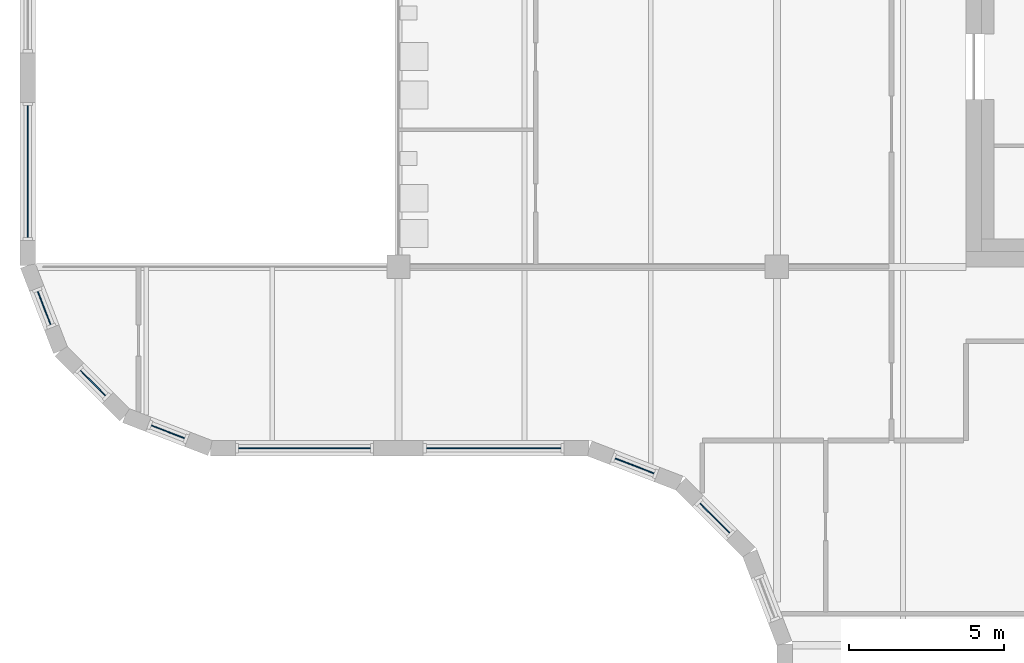
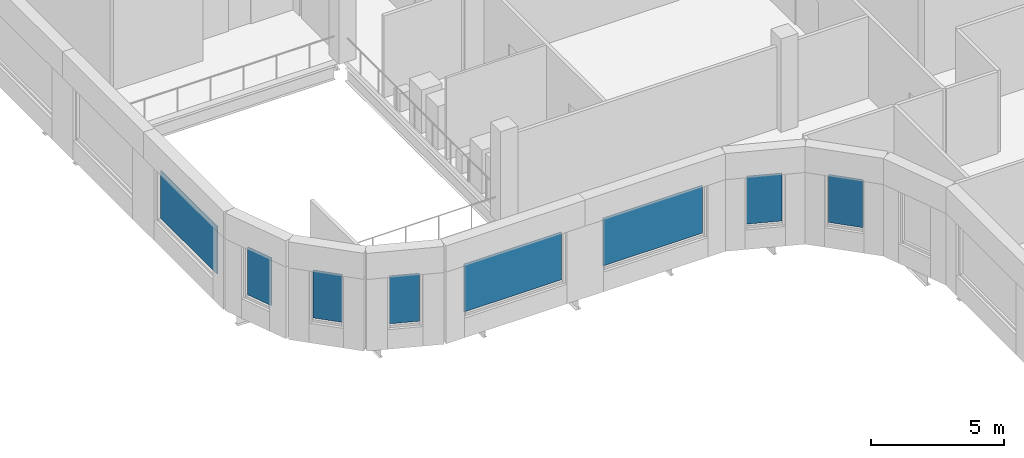
# One storey, part 6 of 21: 8 plates, 8 elements without a shape of their own.
"""IFC4 building model written with IfcOpenShell, lengths in metres."""

from ifc_helpers import new_model, si_unit, direction, frame, origin, origin_2d, place, context, subcontext, project, spatial, rectangle, extrude, material, layer, layer_set, type_object, element, aggregate, save


model = new_model("IFC4")

# Units and contexts
model_context = context("Model", 3, precision=1e-05, world=origin(), true_north=direction((0.0, 1.0)))
body_context = subcontext(model_context, "Body", "Model", "MODEL_VIEW")
ifc_project = project(units=[si_unit("LENGTHUNIT", "METRE"), si_unit("AREAUNIT", "SQUARE_METRE"), si_unit("VOLUMEUNIT", "CUBIC_METRE"), si_unit("PLANEANGLEUNIT", "RADIAN"), si_unit("MASSUNIT", "GRAM", prefix="KILO")], contexts=[model_context])

# Site, building, storey
site_placement = place(None, origin())
site = spatial("IfcSite", under=ifc_project, at=site_placement, CompositionType="ELEMENT")
building_placement = place(site_placement, origin())
building = spatial("IfcBuilding", under=site, at=building_placement, Name="Tessera Gate Towers", CompositionType="ELEMENT")
storey_placement = place(building_placement, frame((0.0, 0.0, 193.39990234375)))
storey = spatial("IfcBuildingStorey", under=building, at=storey_placement, Name="L48", CompositionType="ELEMENT", Elevation=193.39990234375)

# Curtain wall, plate
ifc_material_1 = material(Name="Aluminium frame", Category="aluminium")
curtain_wall_type = type_object("IfcCurtainWallType", Name="CW-S3 amenity floor glazing", PredefinedType="NOTDEFINED", material=ifc_material_1)
curtain_wall_1_placement = place(storey_placement, origin())
curtain_wall_1 = element("IfcCurtainWall", 1, at=curtain_wall_1_placement, inside=storey, type_object=curtain_wall_type, Name="Curtain wall amenity floor glazing 0076", PredefinedType="NOTDEFINED")
ifc_material_2 = material(Name="Low-e laminated glass", Category="glass")
ifc_layer = layer(ifc_material_2, 0.035888671875)
ifc_layer_set = layer_set([ifc_layer], Name="PN-S3 glass panel 36")
plate_type = type_object("IfcPlateType", Name="PN-S3 glass panel 36", PredefinedType="CURTAIN_PANEL", material=ifc_layer_set)
plate_1_placement = place(storey_placement, frame((0.25, 27.473388671875, 1.0), z_axis=(0.0, 0.0, 1.0), x_axis=(0.0, -1.0, 0.0)))
plate_1 = element("IfcPlate", 2, at=plate_1_placement, type_object=plate_type, Name="T1-CW3-0076 panel 1.1", PredefinedType="CURTAIN_PANEL", context=body_context, shape_type="SweptSolid", body=[
    extrude(rectangle(XDim=4.25341796875, YDim=0.035888671875, at=origin_2d()), origin(), (0.0, 0.0, 1.0), 2.199951171875),
])
aggregate(curtain_wall_1, [plate_1])

curtain_wall_2_placement = place(storey_placement, origin())
curtain_wall_2 = element("IfcCurtainWall", 3, at=curtain_wall_2_placement, inside=storey, type_object=curtain_wall_type, Name="Curtain wall amenity floor glazing 0077", PredefinedType="NOTDEFINED")
plate_2_placement = place(storey_placement, frame((0.781005859375, 23.070068359375, 1.0), z_axis=(0.0, 0.0, 1.0), x_axis=(0.359904070394, -0.932989314041, 0.0)))
plate_2 = element("IfcPlate", 4, at=plate_2_placement, type_object=plate_type, Name="T1-CW3-0077 panel 1.1", PredefinedType="CURTAIN_PANEL", context=body_context, shape_type="SweptSolid", body=[
    extrude(rectangle(XDim=1.150634765625, YDim=0.035888671875, at=origin_2d()), origin(), (0.0, 0.0, 1.0), 2.199951171875),
])
aggregate(curtain_wall_2, [plate_2])

curtain_wall_3_placement = place(storey_placement, origin())
curtain_wall_3 = element("IfcCurtainWall", 5, at=curtain_wall_3_placement, inside=storey, type_object=curtain_wall_type, Name="Curtain wall amenity floor glazing 0078", PredefinedType="NOTDEFINED")
plate_3_placement = place(storey_placement, frame((2.352783203125, 20.65283203125, 1.0), z_axis=(0.0, 0.0, 1.0), x_axis=(0.707106781187, -0.707106781187, 0.0)))
plate_3 = element("IfcPlate", 6, at=plate_3_placement, type_object=plate_type, Name="T1-CW3-0078 panel 1.1", PredefinedType="CURTAIN_PANEL", context=body_context, shape_type="SweptSolid", body=[
    extrude(rectangle(XDim=1.14404296875, YDim=0.035888671875, at=origin_2d()), origin(), (0.0, 0.0, 1.0), 2.199951171875),
])
aggregate(curtain_wall_3, [plate_3])

curtain_wall_4_placement = place(storey_placement, origin())
curtain_wall_4 = element("IfcCurtainWall", 7, at=curtain_wall_4_placement, inside=storey, type_object=curtain_wall_type, Name="Curtain wall amenity floor glazing 0079", PredefinedType="NOTDEFINED")
plate_4_placement = place(storey_placement, frame((4.77001953125, 19.0810546875, 1.0), z_axis=(0.0, 0.0, 1.0), x_axis=(0.932989314041, -0.359904070394, 0.0)))
plate_4 = element("IfcPlate", 8, at=plate_4_placement, type_object=plate_type, Name="T1-CW3-0079 panel 1.1", PredefinedType="CURTAIN_PANEL", context=body_context, shape_type="SweptSolid", body=[
    extrude(rectangle(XDim=1.150634765625, YDim=0.035888671875, at=origin_2d()), origin(), (0.0, 0.0, 1.0), 2.199951171875),
])
aggregate(curtain_wall_4, [plate_4])

curtain_wall_5_placement = place(storey_placement, origin())
curtain_wall_5 = element("IfcCurtainWall", 9, at=curtain_wall_5_placement, inside=storey, type_object=curtain_wall_type, Name="Curtain wall amenity floor glazing 0080", PredefinedType="NOTDEFINED")
plate_5_placement = place(storey_placement, frame((9.17333984375, 18.550048828125, 1.0), z_axis=(0.0, 0.0, 1.0), x_axis=(1.0, 0.0, 0.0)))
plate_5 = element("IfcPlate", 10, at=plate_5_placement, type_object=plate_type, Name="T1-CW3-0080 panel 1.1", PredefinedType="CURTAIN_PANEL", context=body_context, shape_type="SweptSolid", body=[
    extrude(rectangle(XDim=4.25341796875, YDim=0.035888671875, at=origin_2d()), origin(), (0.0, 0.0, 1.0), 2.199951171875),
])
aggregate(curtain_wall_5, [plate_5])

curtain_wall_6_placement = place(storey_placement, origin())
curtain_wall_6 = element("IfcCurtainWall", 11, at=curtain_wall_6_placement, inside=storey, type_object=curtain_wall_type, Name="Curtain wall amenity floor glazing 0081", PredefinedType="NOTDEFINED")
plate_6_placement = place(storey_placement, frame((15.273193359375, 18.550048828125, 1.0), z_axis=(0.0, 0.0, 1.0), x_axis=(1.0, 0.0, 0.0)))
plate_6 = element("IfcPlate", 12, at=plate_6_placement, type_object=plate_type, Name="T1-CW3-0081 panel 1.1", PredefinedType="CURTAIN_PANEL", context=body_context, shape_type="SweptSolid", body=[
    extrude(rectangle(XDim=4.346435546875, YDim=0.035888671875, at=origin_2d()), origin(), (0.0, 0.0, 1.0), 2.199951171875),
])
aggregate(curtain_wall_6, [plate_6])

curtain_wall_7_placement = place(storey_placement, origin())
curtain_wall_7 = element("IfcCurtainWall", 13, at=curtain_wall_7_placement, inside=storey, type_object=curtain_wall_type, Name="Curtain wall amenity floor glazing 0082", PredefinedType="NOTDEFINED")
plate_7_placement = place(storey_placement, frame((19.815673828125, 17.983154296875, 1.0), z_axis=(0.0, 0.0, 1.0), x_axis=(0.932989451109, -0.359903715066, 0.0)))
plate_7 = element("IfcPlate", 14, at=plate_7_placement, type_object=plate_type, Name="T1-CW3-0082 panel 1.1", PredefinedType="CURTAIN_PANEL", context=body_context, shape_type="SweptSolid", body=[
    extrude(rectangle(XDim=1.349365234375, YDim=0.035888671875, at=origin_2d()), origin(), (0.0, 0.0, 1.0), 2.199951171875),
])
aggregate(curtain_wall_7, [plate_7])

curtain_wall_8_placement = place(storey_placement, origin())
curtain_wall_8 = element("IfcCurtainWall", 15, at=curtain_wall_8_placement, inside=storey, type_object=curtain_wall_type, Name="Curtain wall amenity floor glazing 0083", PredefinedType="NOTDEFINED")
plate_8_placement = place(storey_placement, frame((22.400634765625, 16.30078125, 1.0), z_axis=(0.0, 0.0, 1.0), x_axis=(0.707106781187, -0.707106781187, 0.0)))
plate_8 = element("IfcPlate", 16, at=plate_8_placement, type_object=plate_type, Name="T1-CW3-0083 panel 1.1", PredefinedType="CURTAIN_PANEL", context=body_context, shape_type="SweptSolid", body=[
    extrude(rectangle(XDim=1.35595703125, YDim=0.035888671875, at=origin_2d()), origin(), (0.0, 0.0, 1.0), 2.199951171875),
])
aggregate(curtain_wall_8, [plate_8])

save(model, "model.ifc")
